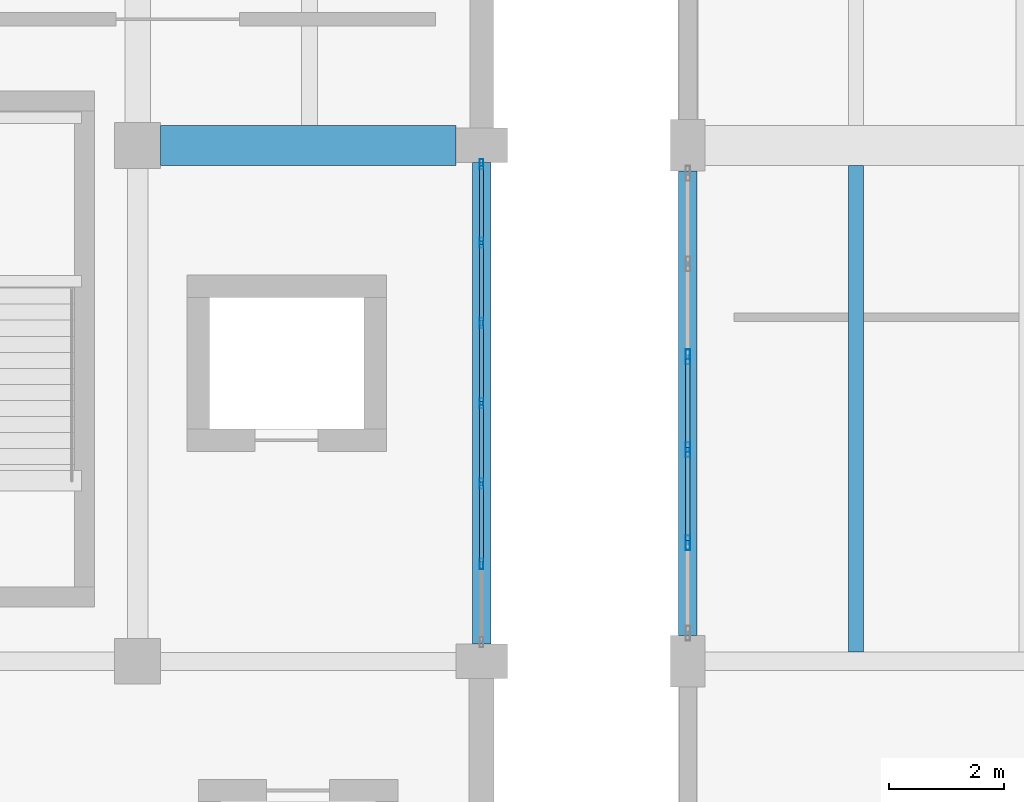
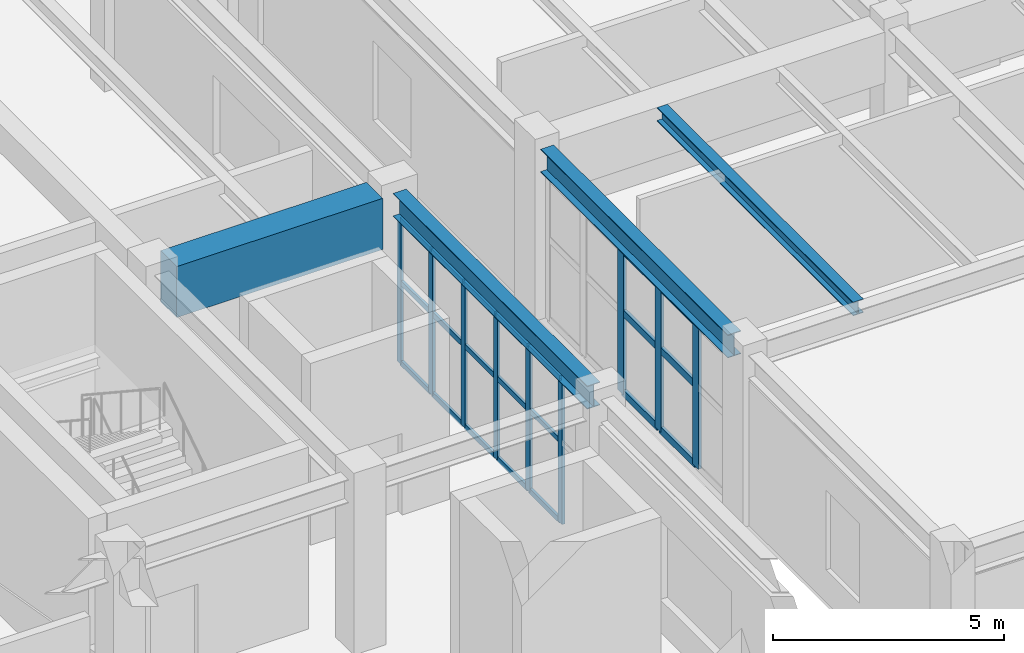
# One storey, part 30 of 96: 30 members, 4 beams, 2 elements without a shape of their own.
"""IFC4 building model written with IfcOpenShell, lengths in metres."""

from ifc_helpers import new_model, si_unit, direction, frame, origin, origin_2d, place, context, subcontext, project, spatial, rectangle, hollow_rectangle, i_section, extrude, material, layer, layer_set, material_profile, profile_set, type_object, element, aggregate, save


model = new_model("IFC4")

# Units and contexts
model_context = context("Model", 3, precision=1e-05, world=origin(), true_north=direction((0.0, 1.0)))
body_context = subcontext(model_context, "Body", "Model", "MODEL_VIEW")
ifc_project = project(units=[si_unit("LENGTHUNIT", "METRE"), si_unit("AREAUNIT", "SQUARE_METRE"), si_unit("VOLUMEUNIT", "CUBIC_METRE"), si_unit("PLANEANGLEUNIT", "RADIAN"), si_unit("MASSUNIT", "GRAM", prefix="KILO")], contexts=[model_context])

# Site, building, storey
site_placement = place(None, origin())
site = spatial("IfcSite", under=ifc_project, at=site_placement, CompositionType="ELEMENT")
building_placement = place(site_placement, origin())
building = spatial("IfcBuilding", under=site, at=building_placement, Name="Vaelkrest Opera House", CompositionType="ELEMENT")
storey_placement = place(building_placement, frame((0.0, 0.0, 5.39990234375)))
storey = spatial("IfcBuildingStorey", under=building, at=storey_placement, Name="L01", CompositionType="ELEMENT", Elevation=5.39990234375)

# Beam
ifc_material_1 = material(Name="Concrete C50/60", Category="concrete")
ifc_material_profile_1 = material_profile(ifc_material_1, rectangle(XDim=0.699951171875, YDim=1.35009765625, at=origin_2d()), Name="RCB700X1350")
ifc_profile_set_1 = profile_set([ifc_material_profile_1], Name="Concrete C50/60")
beam_type_1 = type_object("IfcBeamType", Name="B06", PredefinedType="BEAM", material=ifc_profile_set_1)
beam_1_placement = place(storey_placement, frame((24.39990234375, -19.800048828125, 3.8251953125), z_axis=(1.0, 0.0, 0.0), x_axis=(0.0, 1.0, 0.0)))
element("IfcBeam", 1, at=beam_1_placement, inside=storey, type_object=beam_type_1, Name="Beam BM-V1-L01-0231", PredefinedType="BEAM", context=body_context, shape_type="SweptSolid", body=[
    extrude(rectangle(XDim=0.699951171875, YDim=1.35009765625, at=origin_2d()), origin(), (0.0, 0.0, 1.0), 5.150146484375),
])

# Curtain wall, members
ifc_material_2 = material(Name="Dark bronze anodized aluminium", Category="aluminium")
ifc_layer_1 = layer(ifc_material_2, 0.179931640625)
ifc_layer_set_1 = layer_set([ifc_layer_1], Name="Dark bronze anodized aluminium")
curtain_wall_type_1 = type_object("IfcCurtainWallType", Name="CW01", PredefinedType="NOTDEFINED", material=ifc_layer_set_1)
curtain_wall_1_placement = place(storey_placement, origin())
curtain_wall_1 = element("IfcCurtainWall", 2, at=curtain_wall_1_placement, inside=storey, type_object=curtain_wall_type_1, Name="Curtain wall CW-L01-029", PredefinedType="NOTDEFINED")
ifc_material_profile_2 = material_profile(ifc_material_2, hollow_rectangle(XDim=0.06494140625, YDim=0.179931640625, WallThickness=0.00390625, at=origin_2d()), Name="CWM65X180")
ifc_profile_set_2 = profile_set([ifc_material_profile_2], Name="Dark bronze anodized aluminium")
member_type_1 = type_object("IfcMemberType", Name="CWM01", PredefinedType="MULLION", material=ifc_profile_set_2)
member_1_placement = place(storey_placement, frame((30.0, -20.130615234375, 0.0), z_axis=(0.0, 0.0, 1.0), x_axis=(1.0, 0.0, 0.0)))
member_1 = element("IfcMember", 3, at=member_1_placement, type_object=member_type_1, Name="CW01 mullion 1", PredefinedType="MULLION", context=body_context, shape_type="SweptSolid", body=[
    extrude(hollow_rectangle(XDim=0.06494140625, YDim=0.179931640625, WallThickness=0.00390625, at=origin_2d()), origin(), (0.0, 0.0, 1.0), 3.82421875),
])
member_2_placement = place(storey_placement, frame((30.0, -21.498779296875, 0.0), z_axis=(0.0, 0.0, 1.0), x_axis=(1.0, 0.0, 0.0)))
member_2 = element("IfcMember", 4, at=member_2_placement, type_object=member_type_1, Name="CW01 mullion 2", PredefinedType="MULLION", context=body_context, shape_type="SweptSolid", body=[
    extrude(hollow_rectangle(XDim=0.06494140625, YDim=0.179931640625, WallThickness=0.00390625, at=origin_2d()), origin(), (0.0, 0.0, 1.0), 3.82421875),
])
member_3_placement = place(storey_placement, frame((30.0, -22.8994140625, 0.0), z_axis=(0.0, 0.0, 1.0), x_axis=(1.0, 0.0, 0.0)))
member_3 = element("IfcMember", 5, at=member_3_placement, type_object=member_type_1, Name="CW01 mullion 3", PredefinedType="MULLION", context=body_context, shape_type="SweptSolid", body=[
    extrude(hollow_rectangle(XDim=0.06494140625, YDim=0.179931640625, WallThickness=0.00390625, at=origin_2d()), origin(), (0.0, 0.0, 1.0), 3.82421875),
])
member_4_placement = place(storey_placement, frame((30.0, -24.300048828125, 0.0), z_axis=(0.0, 0.0, 1.0), x_axis=(1.0, 0.0, 0.0)))
member_4 = element("IfcMember", 6, at=member_4_placement, type_object=member_type_1, Name="CW01 mullion 4", PredefinedType="MULLION", context=body_context, shape_type="SweptSolid", body=[
    extrude(hollow_rectangle(XDim=0.06494140625, YDim=0.179931640625, WallThickness=0.00390625, at=origin_2d()), origin(), (0.0, 0.0, 1.0), 3.82421875),
])
member_5_placement = place(storey_placement, frame((30.0, -25.70068359375, 0.0), z_axis=(0.0, 0.0, 1.0), x_axis=(1.0, 0.0, 0.0)))
member_5 = element("IfcMember", 7, at=member_5_placement, type_object=member_type_1, Name="CW01 mullion 5", PredefinedType="MULLION", context=body_context, shape_type="SweptSolid", body=[
    extrude(hollow_rectangle(XDim=0.06494140625, YDim=0.179931640625, WallThickness=0.00390625, at=origin_2d()), origin(), (0.0, 0.0, 1.0), 3.82421875),
])
member_6_placement = place(storey_placement, frame((30.0, -27.101318359375, 0.0), z_axis=(0.0, 0.0, 1.0), x_axis=(1.0, 0.0, 0.0)))
member_6 = element("IfcMember", 8, at=member_6_placement, type_object=member_type_1, Name="CW01 mullion 6", PredefinedType="MULLION", context=body_context, shape_type="SweptSolid", body=[
    extrude(hollow_rectangle(XDim=0.06494140625, YDim=0.179931640625, WallThickness=0.00390625, at=origin_2d()), origin(), (0.0, 0.0, 1.0), 3.82421875),
])

ifc_layer_2 = layer(ifc_material_2, 0.2099609375)
ifc_layer_set_2 = layer_set([ifc_layer_2], Name="Dark bronze anodized aluminium")
curtain_wall_type_2 = type_object("IfcCurtainWallType", Name="CW04", PredefinedType="NOTDEFINED", material=ifc_layer_set_2)
curtain_wall_2_placement = place(storey_placement, origin())
curtain_wall_2 = element("IfcCurtainWall", 9, at=curtain_wall_2_placement, inside=storey, type_object=curtain_wall_type_2, Name="Curtain wall CW-L01-154", PredefinedType="NOTDEFINED")
ifc_material_profile_3 = material_profile(ifc_material_2, hollow_rectangle(XDim=0.080078125, YDim=0.260009765625, WallThickness=0.0048828125, at=origin_2d()), Name="CWM80X260")
ifc_profile_set_3 = profile_set([ifc_material_profile_3], Name="Dark bronze anodized aluminium")
member_type_2 = type_object("IfcMemberType", Name="CWM04", PredefinedType="MULLION", material=ifc_profile_set_3)
member_7_placement = place(storey_placement, frame((33.60009765625, -26.731201171875, 0.0), z_axis=(0.0, 0.0, 1.0), x_axis=(-1.0, 0.0, 0.0)))
member_7 = element("IfcMember", 10, at=member_7_placement, type_object=member_type_2, Name="CW04 mullion 2", PredefinedType="MULLION", context=body_context, shape_type="SweptSolid", body=[
    extrude(hollow_rectangle(XDim=0.080078125, YDim=0.260009765625, WallThickness=0.0048828125, at=origin_2d()), origin(), (0.0, 0.0, 1.0), 3.82421875),
])
member_8_placement = place(storey_placement, frame((33.60009765625, -25.1103515625, 0.0), z_axis=(0.0, 0.0, 1.0), x_axis=(-1.0, 0.0, 0.0)))
member_8 = element("IfcMember", 11, at=member_8_placement, type_object=member_type_2, Name="CW04 mullion 3", PredefinedType="MULLION", context=body_context, shape_type="SweptSolid", body=[
    extrude(hollow_rectangle(XDim=0.080078125, YDim=0.260009765625, WallThickness=0.0048828125, at=origin_2d()), origin(), (0.0, 0.0, 1.0), 3.82421875),
])
member_9_placement = place(storey_placement, frame((33.60009765625, -23.489501953125, 0.0), z_axis=(0.0, 0.0, 1.0), x_axis=(-1.0, 0.0, 0.0)))
member_9 = element("IfcMember", 12, at=member_9_placement, type_object=member_type_2, Name="CW04 mullion 4", PredefinedType="MULLION", context=body_context, shape_type="SweptSolid", body=[
    extrude(hollow_rectangle(XDim=0.080078125, YDim=0.260009765625, WallThickness=0.0048828125, at=origin_2d()), origin(), (0.0, 0.0, 1.0), 3.82421875),
])

# Member
ifc_material_profile_4 = material_profile(ifc_material_2, hollow_rectangle(XDim=0.06494140625, YDim=0.139892578125, WallThickness=0.00390625, at=origin_2d()), Name="CWT65X140")
ifc_profile_set_4 = profile_set([ifc_material_profile_4], Name="Dark bronze anodized aluminium")
member_type_3 = type_object("IfcMemberType", Name="CWT01", PredefinedType="USERDEFINED", material=ifc_profile_set_4)
member_10_placement = place(storey_placement, frame((30.0, -20.1630859375, 0.03271484375), z_axis=(0.0, -1.0, 0.0), x_axis=(1.0, 0.0, 0.0)))
member_10 = element("IfcMember", 13, at=member_10_placement, type_object=member_type_3, Name="CW01 transom 1.1", ObjectType="TRANSOM", PredefinedType="USERDEFINED", context=body_context, shape_type="SweptSolid", body=[
    extrude(hollow_rectangle(XDim=0.06494140625, YDim=0.139892578125, WallThickness=0.00390625, at=origin_2d()), origin(), (0.0, 0.0, 1.0), 1.302978515625),
])

member_11_placement = place(storey_placement, frame((30.0, -20.1630859375, 2.150146484375), z_axis=(0.0, -1.0, 0.0), x_axis=(1.0, 0.0, 0.0)))
member_11 = element("IfcMember", 14, at=member_11_placement, type_object=member_type_3, Name="CW01 transom 1.2", ObjectType="TRANSOM", PredefinedType="USERDEFINED", context=body_context, shape_type="SweptSolid", body=[
    extrude(hollow_rectangle(XDim=0.06494140625, YDim=0.139892578125, WallThickness=0.00390625, at=origin_2d()), origin(), (0.0, 0.0, 1.0), 1.302978515625),
])

member_12_placement = place(storey_placement, frame((30.0, -20.1630859375, 3.79150390625), z_axis=(0.0, -1.0, 0.0), x_axis=(1.0, 0.0, 0.0)))
member_12 = element("IfcMember", 15, at=member_12_placement, type_object=member_type_3, Name="CW01 transom 1.3", ObjectType="TRANSOM", PredefinedType="USERDEFINED", context=body_context, shape_type="SweptSolid", body=[
    extrude(hollow_rectangle(XDim=0.06494140625, YDim=0.139892578125, WallThickness=0.00390625, at=origin_2d()), origin(), (0.0, 0.0, 1.0), 1.302978515625),
])

member_13_placement = place(storey_placement, frame((30.0, -21.53125, 0.03271484375), z_axis=(0.0, -1.0, 0.0), x_axis=(1.0, 0.0, 0.0)))
member_13 = element("IfcMember", 16, at=member_13_placement, type_object=member_type_3, Name="CW01 transom 2.1", ObjectType="TRANSOM", PredefinedType="USERDEFINED", context=body_context, shape_type="SweptSolid", body=[
    extrude(hollow_rectangle(XDim=0.06494140625, YDim=0.139892578125, WallThickness=0.00390625, at=origin_2d()), origin(), (0.0, 0.0, 1.0), 1.335693359375),
])

member_14_placement = place(storey_placement, frame((30.0, -21.53125, 2.150146484375), z_axis=(0.0, -1.0, 0.0), x_axis=(1.0, 0.0, 0.0)))
member_14 = element("IfcMember", 17, at=member_14_placement, type_object=member_type_3, Name="CW01 transom 2.2", ObjectType="TRANSOM", PredefinedType="USERDEFINED", context=body_context, shape_type="SweptSolid", body=[
    extrude(hollow_rectangle(XDim=0.06494140625, YDim=0.139892578125, WallThickness=0.00390625, at=origin_2d()), origin(), (0.0, 0.0, 1.0), 1.335693359375),
])

member_15_placement = place(storey_placement, frame((30.0, -21.53125, 3.79150390625), z_axis=(0.0, -1.0, 0.0), x_axis=(1.0, 0.0, 0.0)))
member_15 = element("IfcMember", 18, at=member_15_placement, type_object=member_type_3, Name="CW01 transom 2.3", ObjectType="TRANSOM", PredefinedType="USERDEFINED", context=body_context, shape_type="SweptSolid", body=[
    extrude(hollow_rectangle(XDim=0.06494140625, YDim=0.139892578125, WallThickness=0.00390625, at=origin_2d()), origin(), (0.0, 0.0, 1.0), 1.335693359375),
])

member_16_placement = place(storey_placement, frame((30.0, -22.931884765625, 0.03271484375), z_axis=(0.0, -1.0, 0.0), x_axis=(1.0, 0.0, 0.0)))
member_16 = element("IfcMember", 19, at=member_16_placement, type_object=member_type_3, Name="CW01 transom 3.1", ObjectType="TRANSOM", PredefinedType="USERDEFINED", context=body_context, shape_type="SweptSolid", body=[
    extrude(hollow_rectangle(XDim=0.06494140625, YDim=0.139892578125, WallThickness=0.00390625, at=origin_2d()), origin(), (0.0, 0.0, 1.0), 1.335693359375),
])

member_17_placement = place(storey_placement, frame((30.0, -22.931884765625, 2.150146484375), z_axis=(0.0, -1.0, 0.0), x_axis=(1.0, 0.0, 0.0)))
member_17 = element("IfcMember", 20, at=member_17_placement, type_object=member_type_3, Name="CW01 transom 3.2", ObjectType="TRANSOM", PredefinedType="USERDEFINED", context=body_context, shape_type="SweptSolid", body=[
    extrude(hollow_rectangle(XDim=0.06494140625, YDim=0.139892578125, WallThickness=0.00390625, at=origin_2d()), origin(), (0.0, 0.0, 1.0), 1.335693359375),
])

member_18_placement = place(storey_placement, frame((30.0, -22.931884765625, 3.79150390625), z_axis=(0.0, -1.0, 0.0), x_axis=(1.0, 0.0, 0.0)))
member_18 = element("IfcMember", 21, at=member_18_placement, type_object=member_type_3, Name="CW01 transom 3.3", ObjectType="TRANSOM", PredefinedType="USERDEFINED", context=body_context, shape_type="SweptSolid", body=[
    extrude(hollow_rectangle(XDim=0.06494140625, YDim=0.139892578125, WallThickness=0.00390625, at=origin_2d()), origin(), (0.0, 0.0, 1.0), 1.335693359375),
])

member_19_placement = place(storey_placement, frame((30.0, -24.33251953125, 0.03271484375), z_axis=(0.0, -1.0, 0.0), x_axis=(1.0, 0.0, 0.0)))
member_19 = element("IfcMember", 22, at=member_19_placement, type_object=member_type_3, Name="CW01 transom 4.1", ObjectType="TRANSOM", PredefinedType="USERDEFINED", context=body_context, shape_type="SweptSolid", body=[
    extrude(hollow_rectangle(XDim=0.06494140625, YDim=0.139892578125, WallThickness=0.00390625, at=origin_2d()), origin(), (0.0, 0.0, 1.0), 1.335693359375),
])

member_20_placement = place(storey_placement, frame((30.0, -24.33251953125, 2.150146484375), z_axis=(0.0, -1.0, 0.0), x_axis=(1.0, 0.0, 0.0)))
member_20 = element("IfcMember", 23, at=member_20_placement, type_object=member_type_3, Name="CW01 transom 4.2", ObjectType="TRANSOM", PredefinedType="USERDEFINED", context=body_context, shape_type="SweptSolid", body=[
    extrude(hollow_rectangle(XDim=0.06494140625, YDim=0.139892578125, WallThickness=0.00390625, at=origin_2d()), origin(), (0.0, 0.0, 1.0), 1.335693359375),
])

member_21_placement = place(storey_placement, frame((30.0, -24.33251953125, 3.79150390625), z_axis=(0.0, -1.0, 0.0), x_axis=(1.0, 0.0, 0.0)))
member_21 = element("IfcMember", 24, at=member_21_placement, type_object=member_type_3, Name="CW01 transom 4.3", ObjectType="TRANSOM", PredefinedType="USERDEFINED", context=body_context, shape_type="SweptSolid", body=[
    extrude(hollow_rectangle(XDim=0.06494140625, YDim=0.139892578125, WallThickness=0.00390625, at=origin_2d()), origin(), (0.0, 0.0, 1.0), 1.335693359375),
])

member_22_placement = place(storey_placement, frame((30.0, -25.733154296875, 0.03271484375), z_axis=(0.0, -1.0, 0.0), x_axis=(1.0, 0.0, 0.0)))
member_22 = element("IfcMember", 25, at=member_22_placement, type_object=member_type_3, Name="CW01 transom 5.1", ObjectType="TRANSOM", PredefinedType="USERDEFINED", context=body_context, shape_type="SweptSolid", body=[
    extrude(hollow_rectangle(XDim=0.06494140625, YDim=0.139892578125, WallThickness=0.00390625, at=origin_2d()), origin(), (0.0, 0.0, 1.0), 1.335693359375),
])

member_23_placement = place(storey_placement, frame((30.0, -25.733154296875, 2.150146484375), z_axis=(0.0, -1.0, 0.0), x_axis=(1.0, 0.0, 0.0)))
member_23 = element("IfcMember", 26, at=member_23_placement, type_object=member_type_3, Name="CW01 transom 5.2", ObjectType="TRANSOM", PredefinedType="USERDEFINED", context=body_context, shape_type="SweptSolid", body=[
    extrude(hollow_rectangle(XDim=0.06494140625, YDim=0.139892578125, WallThickness=0.00390625, at=origin_2d()), origin(), (0.0, 0.0, 1.0), 1.335693359375),
])

member_24_placement = place(storey_placement, frame((30.0, -25.733154296875, 3.79150390625), z_axis=(0.0, -1.0, 0.0), x_axis=(1.0, 0.0, 0.0)))
member_24 = element("IfcMember", 27, at=member_24_placement, type_object=member_type_3, Name="CW01 transom 5.3", ObjectType="TRANSOM", PredefinedType="USERDEFINED", context=body_context, shape_type="SweptSolid", body=[
    extrude(hollow_rectangle(XDim=0.06494140625, YDim=0.139892578125, WallThickness=0.00390625, at=origin_2d()), origin(), (0.0, 0.0, 1.0), 1.335693359375),
])

aggregate(curtain_wall_1, [member_1, member_2, member_3, member_4, member_5, member_6, member_10, member_11, member_12, member_13, member_14, member_15, member_16, member_17, member_18, member_19, member_20, member_21, member_22, member_23, member_24])

ifc_material_profile_5 = material_profile(ifc_material_2, hollow_rectangle(XDim=0.080078125, YDim=0.18994140625, WallThickness=0.0048828125, at=origin_2d()), Name="CWT80X190")
ifc_profile_set_5 = profile_set([ifc_material_profile_5], Name="Dark bronze anodized aluminium")
member_type_4 = type_object("IfcMemberType", Name="CWT04", PredefinedType="USERDEFINED", material=ifc_profile_set_5)
member_25_placement = place(storey_placement, frame((33.60009765625, -26.691162109375, 0.0400390625), z_axis=(0.0, 1.0, 0.0), x_axis=(-1.0, 0.0, 0.0)))
member_25 = element("IfcMember", 28, at=member_25_placement, type_object=member_type_4, Name="CW04 transom 2.1", ObjectType="TRANSOM", PredefinedType="USERDEFINED", context=body_context, shape_type="SweptSolid", body=[
    extrude(hollow_rectangle(XDim=0.080078125, YDim=0.18994140625, WallThickness=0.0048828125, at=origin_2d()), origin(), (0.0, 0.0, 1.0), 1.540771484375),
])

member_26_placement = place(storey_placement, frame((33.60009765625, -26.691162109375, 2.150146484375), z_axis=(0.0, 1.0, 0.0), x_axis=(-1.0, 0.0, 0.0)))
member_26 = element("IfcMember", 29, at=member_26_placement, type_object=member_type_4, Name="CW04 transom 2.2", ObjectType="TRANSOM", PredefinedType="USERDEFINED", context=body_context, shape_type="SweptSolid", body=[
    extrude(hollow_rectangle(XDim=0.080078125, YDim=0.18994140625, WallThickness=0.0048828125, at=origin_2d()), origin(), (0.0, 0.0, 1.0), 1.540771484375),
])

member_27_placement = place(storey_placement, frame((33.60009765625, -26.691162109375, 3.7841796875), z_axis=(0.0, 1.0, 0.0), x_axis=(-1.0, 0.0, 0.0)))
member_27 = element("IfcMember", 30, at=member_27_placement, type_object=member_type_4, Name="CW04 transom 2.3", ObjectType="TRANSOM", PredefinedType="USERDEFINED", context=body_context, shape_type="SweptSolid", body=[
    extrude(hollow_rectangle(XDim=0.080078125, YDim=0.18994140625, WallThickness=0.0048828125, at=origin_2d()), origin(), (0.0, 0.0, 1.0), 1.540771484375),
])

member_28_placement = place(storey_placement, frame((33.60009765625, -25.0703125, 0.0400390625), z_axis=(0.0, 1.0, 0.0), x_axis=(-1.0, 0.0, 0.0)))
member_28 = element("IfcMember", 31, at=member_28_placement, type_object=member_type_4, Name="CW04 transom 3.1", ObjectType="TRANSOM", PredefinedType="USERDEFINED", context=body_context, shape_type="SweptSolid", body=[
    extrude(hollow_rectangle(XDim=0.080078125, YDim=0.18994140625, WallThickness=0.0048828125, at=origin_2d()), origin(), (0.0, 0.0, 1.0), 1.540771484375),
])

member_29_placement = place(storey_placement, frame((33.60009765625, -25.0703125, 2.150146484375), z_axis=(0.0, 1.0, 0.0), x_axis=(-1.0, 0.0, 0.0)))
member_29 = element("IfcMember", 32, at=member_29_placement, type_object=member_type_4, Name="CW04 transom 3.2", ObjectType="TRANSOM", PredefinedType="USERDEFINED", context=body_context, shape_type="SweptSolid", body=[
    extrude(hollow_rectangle(XDim=0.080078125, YDim=0.18994140625, WallThickness=0.0048828125, at=origin_2d()), origin(), (0.0, 0.0, 1.0), 1.540771484375),
])

member_30_placement = place(storey_placement, frame((33.60009765625, -25.0703125, 3.7841796875), z_axis=(0.0, 1.0, 0.0), x_axis=(-1.0, 0.0, 0.0)))
member_30 = element("IfcMember", 33, at=member_30_placement, type_object=member_type_4, Name="CW04 transom 3.3", ObjectType="TRANSOM", PredefinedType="USERDEFINED", context=body_context, shape_type="SweptSolid", body=[
    extrude(hollow_rectangle(XDim=0.080078125, YDim=0.18994140625, WallThickness=0.0048828125, at=origin_2d()), origin(), (0.0, 0.0, 1.0), 1.540771484375),
])

aggregate(curtain_wall_2, [member_7, member_8, member_9, member_25, member_26, member_27, member_28, member_29, member_30])

# Beams
ifc_material_3 = material(Name="Steel A992 Gr50", Category="steel")
ifc_material_profile_6 = material_profile(ifc_material_3, i_section(OverallWidth=0.257080078125, OverallDepth=0.363037109375, WebThickness=0.012939453125, FlangeThickness=0.021728515625, at=origin_2d()), Name="W14X82")
ifc_profile_set_6 = profile_set([ifc_material_profile_6], Name="Steel A992 Gr50")
beam_type_2 = type_object("IfcBeamType", Name="J06", PredefinedType="JOIST", material=ifc_profile_set_6)
beam_2_placement = place(storey_placement, frame((36.532958984375, -28.637939453125, 4.318603515625), z_axis=(0.0, 1.0, 0.0), x_axis=(-1.0, 0.0, 0.0)))
element("IfcBeam", 34, at=beam_2_placement, inside=storey, type_object=beam_type_2, Name="Floor joist JST-V4-L01-2216", PredefinedType="JOIST", context=body_context, shape_type="SweptSolid", body=[
    extrude(i_section(OverallWidth=0.257080078125, OverallDepth=0.363037109375, WebThickness=0.012939453125, FlangeThickness=0.021728515625, at=origin_2d()), origin(), (0.0, 0.0, 1.0), 8.488037109375),
])
ifc_material_profile_7 = material_profile(ifc_material_3, i_section(OverallWidth=0.323974609375, OverallDepth=0.611083984375, WebThickness=0.0126953125, FlangeThickness=0.01904296875, at=origin_2d()), Name="W24X104")
ifc_profile_set_7 = profile_set([ifc_material_profile_7], Name="Steel A992 Gr50")
beam_type_3 = type_object("IfcBeamType", Name="SP01", PredefinedType="SPANDREL", material=ifc_profile_set_7)
beam_3_placement = place(storey_placement, frame((30.0, -28.5, 4.194580078125), z_axis=(0.0, 1.0, 0.0), x_axis=(-1.0, 0.0, 0.0)))
element("IfcBeam", 35, at=beam_3_placement, inside=storey, type_object=beam_type_3, Name="Beam BM-V1-L01-0294", PredefinedType="SPANDREL", context=body_context, shape_type="SweptSolid", body=[
    extrude(i_section(OverallWidth=0.323974609375, OverallDepth=0.611083984375, WebThickness=0.0126953125, FlangeThickness=0.01904296875, at=origin_2d()), origin(), (0.0, 0.0, 1.0), 8.39990234375),
])
beam_4_placement = place(storey_placement, frame((33.60009765625, -28.35009765625, 4.194580078125), z_axis=(0.0, 1.0, 0.0), x_axis=(-1.0, 0.0, 0.0)))
element("IfcBeam", 36, at=beam_4_placement, inside=storey, type_object=beam_type_3, Name="Beam BM-V4-L01-2165", PredefinedType="SPANDREL", context=body_context, shape_type="SweptSolid", body=[
    extrude(i_section(OverallWidth=0.323974609375, OverallDepth=0.611083984375, WebThickness=0.0126953125, FlangeThickness=0.01904296875, at=origin_2d()), origin(), (0.0, 0.0, 1.0), 8.10009765625),
])

save(model, "model.ifc")
